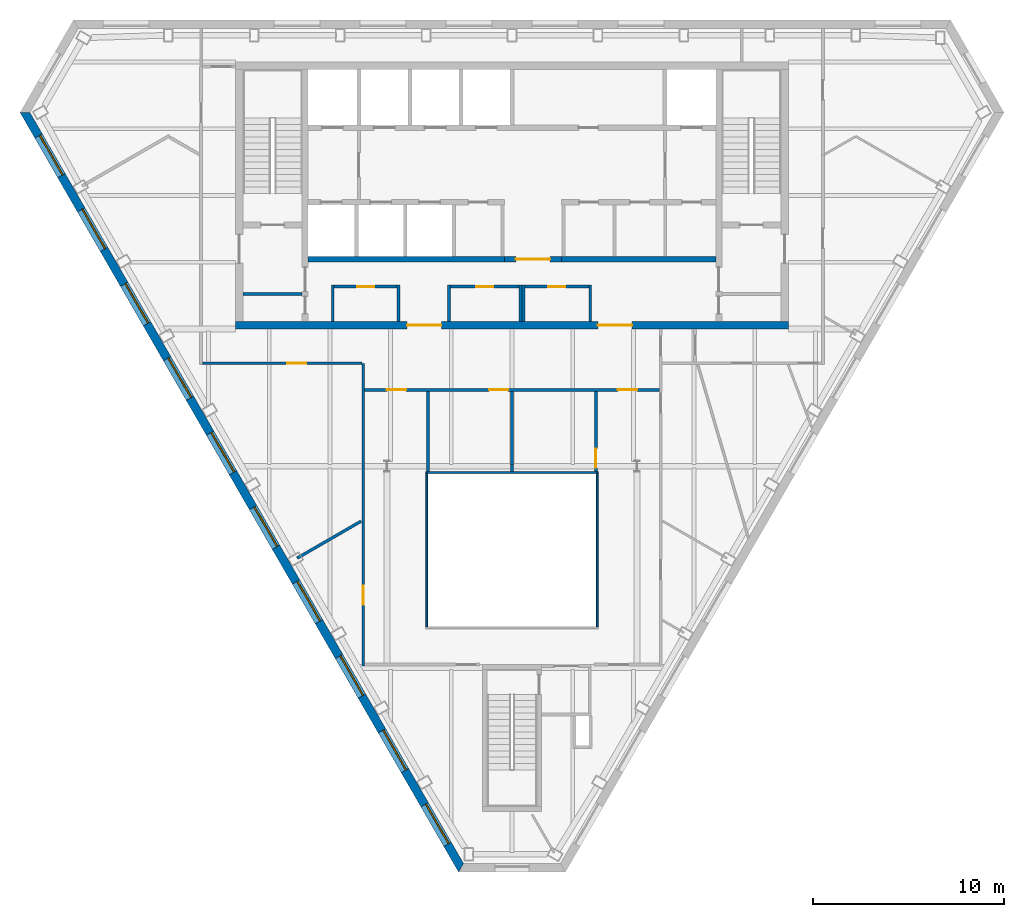
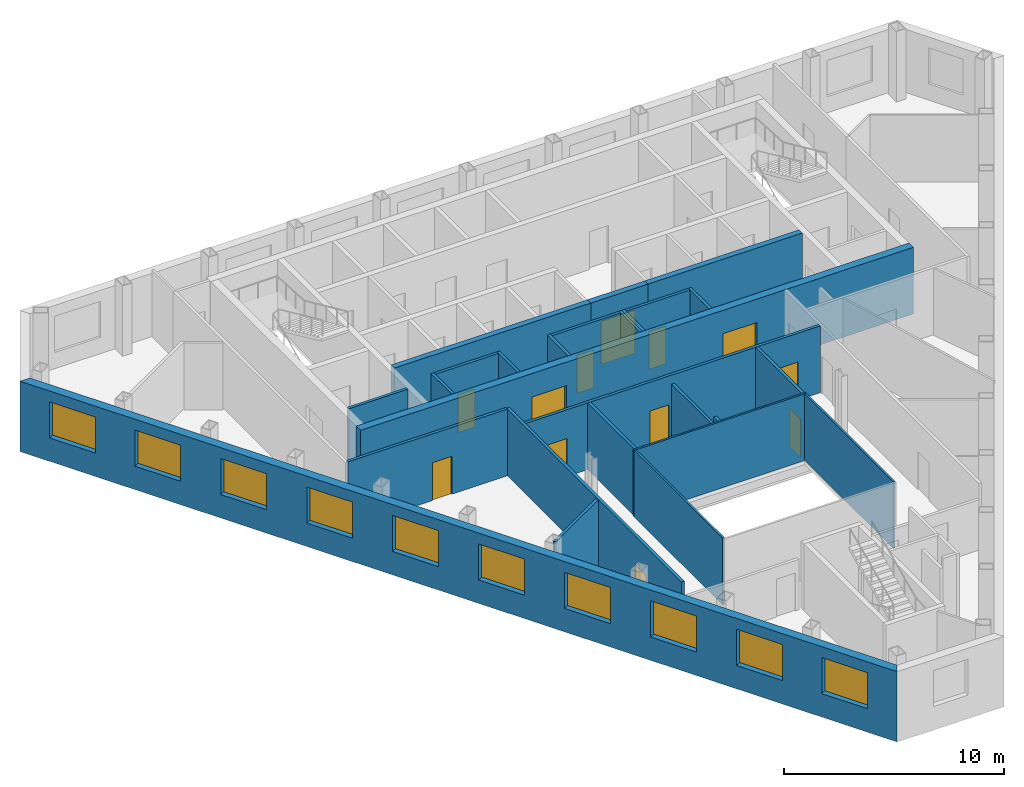
# One storey, part 4 of 10: 26 walls, 12 doors, 10 windows, 22 openings.
"""IFC4 building model written with IfcOpenShell, lengths in metres."""

from ifc_helpers import new_model, si_unit, direction, frame, frame_2d, origin, place, context, subcontext, project, spatial, polyline, rectangle, outline, extrude, material, layer, layer_set, type_object, element, fill, save


model = new_model("IFC4")

# Units and contexts
model_context = context("Model", 3, precision=1e-05, world=origin(), true_north=direction((0.0, 1.0)))
body_context = subcontext(model_context, "Body", "Model", "MODEL_VIEW")
ifc_project = project(units=[si_unit("LENGTHUNIT", "METRE"), si_unit("AREAUNIT", "SQUARE_METRE"), si_unit("VOLUMEUNIT", "CUBIC_METRE"), si_unit("PLANEANGLEUNIT", "RADIAN"), si_unit("MASSUNIT", "GRAM", prefix="KILO")], contexts=[model_context])

# Site, building, storey
site_placement = place(None, origin())
site = spatial("IfcSite", under=ifc_project, at=site_placement, CompositionType="ELEMENT")
building_placement = place(site_placement, origin())
building = spatial("IfcBuilding", under=site, at=building_placement, Name="Njiva Tower", CompositionType="ELEMENT")
storey_placement = place(building_placement, frame((0.0, 0.0, 272.7)))
storey = spatial("IfcBuildingStorey", under=building, at=storey_placement, Name="L62", CompositionType="ELEMENT", Elevation=272.7)

# Walls
ifc_material_1 = material(Name="Blockwork", Category="masonry")
ifc_layer_1 = layer(ifc_material_1, 0.15)
ifc_layer_set_1 = layer_set([ifc_layer_1], Name="Blockwork")
wall_type_1 = type_object("IfcWallType", Name="WT1 Compartment partition 150", PredefinedType="PARTITIONING", material=ifc_layer_set_1)
wall_1_placement = place(storey_placement, frame((-14.1, 5.825, 0.0), z_axis=(0.0, 0.0, 1.0), x_axis=(1.0, 0.0, 0.0)))
element("IfcWall", 1, at=wall_1_placement, inside=storey, type_object=wall_type_1, Name="Room wall A", PredefinedType="PARTITIONING", context=body_context, shape_type="SweptSolid", body=[
    extrude(rectangle(XDim=3.1, YDim=0.15, at=frame_2d((1.55, 0.0))), origin(), (0.0, 0.0, 1.0), 3.7),
])
for number, where, z_axis, x_axis, name in (
    (2, (-9.4, 4.4, 0.0), (0.0, 0.0, 1.0), (0.0, 1.0, 0.0), "Tenant reception wall west"),
    (3, (-5.95, 4.4, 0.0), (0.0, 0.0, 1.0), (0.0, 1.0, 0.0), "Tenant reception wall east"),
):
    element("IfcWall", number, at=place(storey_placement, frame(where, z_axis=z_axis, x_axis=x_axis)), inside=storey, type_object=wall_type_1, Name=name, PredefinedType="PARTITIONING", context=body_context, shape_type="SweptSolid", body=[
        extrude(rectangle(XDim=1.895, YDim=0.15, at=frame_2d((0.9475, 0.0))), origin(), (0.0, 0.0, 1.0), 3.7),
    ])

# Wall, opening, door
wall_2_placement = place(storey_placement, frame((-9.325, 6.22, 0.0), z_axis=(0.0, 0.0, 1.0), x_axis=(1.0, 0.0, 0.0)))
wall_2 = element("IfcWall", 4, at=wall_2_placement, inside=storey, type_object=wall_type_1, Name="Tenant reception wall north", PredefinedType="PARTITIONING", context=body_context, shape_type="SweptSolid", body=[
    extrude(rectangle(XDim=3.3, YDim=0.15, at=frame_2d((1.65, 0.0))), origin(), (0.0, 0.0, 1.0), 3.7),
])
opening_1_placement = place(wall_2_placement, frame((1.2, 0.0, 0.0)))
opening_1 = element("IfcOpeningElement", 5, at=opening_1_placement, cuts=wall_2, Name="Opening S20-D924", PredefinedType="OPENING", context=body_context, shape_type="SweptSolid", body=[
    extrude(rectangle(XDim=0.9, YDim=2.1, at=frame_2d((0.45, 1.05))), frame((0.0, 0.085, 0.0), z_axis=(0.0, -1.0, 0.0), x_axis=(1.0, 0.0, 0.0)), (0.0, 0.0, 1.0), 0.17),
])
ifc_material_2 = material(Name="Steel fire door, painted", Category="steel")
door_type_1 = type_object("IfcDoorType", Name="D6 Fire-rated door 900x2100", OperationType="SINGLE_SWING_LEFT", PredefinedType="DOOR", material=ifc_material_2)
door_1_placement = place(opening_1_placement, origin())
door_1 = element("IfcDoor", 6, at=door_1_placement, inside=storey, type_object=door_type_1, Name="Tenant reception door", OperationType="SINGLE_SWING_RIGHT", OverallHeight=2.1, OverallWidth=0.9, PredefinedType="DOOR", context=body_context, shape_type="SweptSolid", body=[
    extrude(rectangle(XDim=0.9, YDim=2.1, at=frame_2d((0.45, 1.05))), frame((0.0, 0.025, 0.0), z_axis=(0.0, -1.0, 0.0), x_axis=(1.0, 0.0, 0.0)), (0.0, 0.0, 1.0), 0.05),
])
fill(opening_1, door_1)

# Walls
for number, where, z_axis, x_axis, name in (
    (7, (-3.3, 4.4, 0.0), (0.0, 0.0, 1.0), (0.0, 1.0, 0.0), "Waiting room wall west"),
    (8, (0.45, 4.4, 0.0), (0.0, 0.0, 1.0), (0.0, 1.0, 0.0), "Waiting room wall east"),
):
    element("IfcWall", number, at=place(storey_placement, frame(where, z_axis=z_axis, x_axis=x_axis)), inside=storey, type_object=wall_type_1, Name=name, PredefinedType="PARTITIONING", context=body_context, shape_type="SweptSolid", body=[
        extrude(rectangle(XDim=1.895, YDim=0.15, at=frame_2d((0.9475, 0.0))), origin(), (0.0, 0.0, 1.0), 3.7),
    ])

# Wall, opening, door
wall_3_placement = place(storey_placement, frame((-3.225, 6.22, 0.0), z_axis=(0.0, 0.0, 1.0), x_axis=(1.0, 0.0, 0.0)))
wall_3 = element("IfcWall", 9, at=wall_3_placement, inside=storey, type_object=wall_type_1, Name="Waiting room wall north", PredefinedType="PARTITIONING", context=body_context, shape_type="SweptSolid", body=[
    extrude(rectangle(XDim=3.6, YDim=0.15, at=frame_2d((1.8, 0.0))), origin(), (0.0, 0.0, 1.0), 3.7),
])
opening_2_placement = place(wall_3_placement, frame((1.35, 0.0, 0.0)))
opening_2 = element("IfcOpeningElement", 10, at=opening_2_placement, cuts=wall_3, Name="Opening S20-D925", PredefinedType="OPENING", context=body_context, shape_type="SweptSolid", body=[
    extrude(rectangle(XDim=0.9, YDim=2.1, at=frame_2d((0.45, 1.05))), frame((0.0, 0.085, 0.0), z_axis=(0.0, -1.0, 0.0), x_axis=(1.0, 0.0, 0.0)), (0.0, 0.0, 1.0), 0.17),
])
door_2_placement = place(opening_2_placement, origin())
door_2 = element("IfcDoor", 11, at=door_2_placement, inside=storey, type_object=door_type_1, Name="Waiting room door", OperationType="SINGLE_SWING_LEFT", OverallHeight=2.1, OverallWidth=0.9, PredefinedType="DOOR", context=body_context, shape_type="SweptSolid", body=[
    extrude(rectangle(XDim=0.9, YDim=2.1, at=frame_2d((0.45, 1.05))), frame((0.0, 0.025, 0.0), z_axis=(0.0, -1.0, 0.0), x_axis=(1.0, 0.0, 0.0)), (0.0, 0.0, 1.0), 0.05),
])
fill(opening_2, door_2)

# Walls
for number, where, z_axis, x_axis, name in (
    (12, (0.6, 4.4, 0.0), (0.0, 0.0, 1.0), (0.0, 1.0, 0.0), "First aid room wall west"),
    (13, (4.1, 4.4, 0.0), (0.0, 0.0, 1.0), (0.0, 1.0, 0.0), "First aid room wall east"),
):
    element("IfcWall", number, at=place(storey_placement, frame(where, z_axis=z_axis, x_axis=x_axis)), inside=storey, type_object=wall_type_1, Name=name, PredefinedType="PARTITIONING", context=body_context, shape_type="SweptSolid", body=[
        extrude(rectangle(XDim=1.895, YDim=0.15, at=frame_2d((0.9475, 0.0))), origin(), (0.0, 0.0, 1.0), 3.7),
    ])

# Wall, opening, door
wall_4_placement = place(storey_placement, frame((0.675, 6.22, 0.0), z_axis=(0.0, 0.0, 1.0), x_axis=(1.0, 0.0, 0.0)))
wall_4 = element("IfcWall", 14, at=wall_4_placement, inside=storey, type_object=wall_type_1, Name="First aid room wall north", PredefinedType="PARTITIONING", context=body_context, shape_type="SweptSolid", body=[
    extrude(rectangle(XDim=3.35, YDim=0.15, at=frame_2d((1.675, 0.0))), origin(), (0.0, 0.0, 1.0), 3.7),
])
opening_3_placement = place(wall_4_placement, frame((1.225, 0.0, 0.0)))
opening_3 = element("IfcOpeningElement", 15, at=opening_3_placement, cuts=wall_4, Name="Opening S20-D926", PredefinedType="OPENING", context=body_context, shape_type="SweptSolid", body=[
    extrude(rectangle(XDim=0.9, YDim=2.1, at=frame_2d((0.45, 1.05))), frame((0.0, 0.085, 0.0), z_axis=(0.0, -1.0, 0.0), x_axis=(1.0, 0.0, 0.0)), (0.0, 0.0, 1.0), 0.17),
])
door_3_placement = place(opening_3_placement, origin())
door_3 = element("IfcDoor", 16, at=door_3_placement, inside=storey, type_object=door_type_1, Name="First aid room door", OperationType="SINGLE_SWING_LEFT", OverallHeight=2.1, OverallWidth=0.9, PredefinedType="DOOR", context=body_context, shape_type="SweptSolid", body=[
    extrude(rectangle(XDim=0.9, YDim=2.1, at=frame_2d((0.45, 1.05))), frame((0.0, 0.025, 0.0), z_axis=(0.0, -1.0, 0.0), x_axis=(1.0, 0.0, 0.0)), (0.0, 0.0, 1.0), 0.05),
])
fill(opening_3, door_3)

# Wall, openings, doors
ifc_material_3 = material(Name="Concrete C60/75", Category="concrete")
ifc_layer_2 = layer(ifc_material_3, 0.4)
ifc_layer_set_2 = layer_set([ifc_layer_2], Name="Concrete C60/75")
wall_type_2 = type_object("IfcWallType", Name="WT11 Core wall 400", PredefinedType="SHEAR", material=ifc_layer_set_2)
wall_5_placement = place(storey_placement, frame((-14.5, 4.2, 0.0), z_axis=(0.0, 0.0, 1.0), x_axis=(1.0, 0.0, 0.0)))
wall_5 = element("IfcWall", 17, at=wall_5_placement, inside=storey, type_object=wall_type_2, Name="Core wall south", PredefinedType="SHEAR", context=body_context, shape_type="SweptSolid", body=[
    extrude(rectangle(XDim=29.0, YDim=0.4, at=frame_2d((14.5, 0.0))), origin(), (0.0, 0.0, 1.0), 3.7),
])
opening_4_placement = place(wall_5_placement, frame((9.0, 0.0, 0.0)))
opening_4 = element("IfcOpeningElement", 18, at=opening_4_placement, cuts=wall_5, Name="Opening S20-D928", PredefinedType="OPENING", context=body_context, shape_type="SweptSolid", body=[
    extrude(rectangle(XDim=1.8, YDim=2.4, at=frame_2d((0.9, 1.2))), frame((0.0, 0.21, 0.0), z_axis=(0.0, -1.0, 0.0), x_axis=(1.0, 0.0, 0.0)), (0.0, 0.0, 1.0), 0.42),
])
opening_5_placement = place(wall_5_placement, frame((19.0, 0.0, 0.0)))
opening_5 = element("IfcOpeningElement", 19, at=opening_5_placement, cuts=wall_5, Name="Opening S20-D929", PredefinedType="OPENING", context=body_context, shape_type="SweptSolid", body=[
    extrude(rectangle(XDim=1.8, YDim=2.4, at=frame_2d((0.9, 1.2))), frame((0.0, 0.21, 0.0), z_axis=(0.0, -1.0, 0.0), x_axis=(1.0, 0.0, 0.0)), (0.0, 0.0, 1.0), 0.42),
])
ifc_material_4 = material(Name="Steel and glass door", Category="steel")
door_type_2 = type_object("IfcDoorType", Name="D3 Core entrance door 1800x2400", OperationType="DOUBLE_DOOR_SINGLE_SWING", PredefinedType="DOOR", material=ifc_material_4)
door_4_placement = place(opening_4_placement, origin())
door_4 = element("IfcDoor", 20, at=door_4_placement, inside=storey, type_object=door_type_2, Name="Core entrance door", OperationType="DOUBLE_DOOR_SINGLE_SWING", OverallHeight=2.4, OverallWidth=1.8, PredefinedType="DOOR", context=body_context, shape_type="SweptSolid", body=[
    extrude(rectangle(XDim=1.8, YDim=2.4, at=frame_2d((0.9, 1.2))), frame((0.0, 0.025, 0.0), z_axis=(0.0, -1.0, 0.0), x_axis=(1.0, 0.0, 0.0)), (0.0, 0.0, 1.0), 0.05),
])
fill(opening_4, door_4)
door_5_placement = place(opening_5_placement, origin())
door_5 = element("IfcDoor", 21, at=door_5_placement, inside=storey, type_object=door_type_2, Name="Core entrance door", OperationType="DOUBLE_DOOR_SINGLE_SWING", OverallHeight=2.4, OverallWidth=1.8, PredefinedType="DOOR", context=body_context, shape_type="SweptSolid", body=[
    extrude(rectangle(XDim=1.8, YDim=2.4, at=frame_2d((0.9, 1.2))), frame((0.0, 0.025, 0.0), z_axis=(0.0, -1.0, 0.0), x_axis=(1.0, 0.0, 0.0)), (0.0, 0.0, 1.0), 0.05),
])
fill(opening_5, door_5)

# Wall, opening, door
ifc_material_5 = material(Name="Gypsum board on steel studs", Category="gypsum")
ifc_layer_3 = layer(ifc_material_5, 0.15)
ifc_layer_set_3 = layer_set([ifc_layer_3], Name="Gypsum board on steel studs")
wall_type_3 = type_object("IfcWallType", Name="WT21 Compartment wall 150", PredefinedType="PARTITIONING", material=ifc_layer_set_3)
wall_6_placement = place(storey_placement, frame((-16.225, 2.2, 0.0), z_axis=(0.0, 0.0, 1.0), x_axis=(1.0, 0.0, 0.0)))
wall_6 = element("IfcWall", 22, at=wall_6_placement, inside=storey, type_object=wall_type_3, Name="Partition S20-P005", PredefinedType="PARTITIONING", context=body_context, shape_type="SweptSolid", body=[
    extrude(rectangle(XDim=8.35, YDim=0.15, at=frame_2d((4.175, 0.0))), origin(), (0.0, 0.0, 1.0), 3.7),
])
opening_6_placement = place(wall_6_placement, frame((4.431, 0.0, 0.0)))
opening_6 = element("IfcOpeningElement", 23, at=opening_6_placement, cuts=wall_6, Name="Opening S20-D002", PredefinedType="OPENING", context=body_context, shape_type="SweptSolid", body=[
    extrude(rectangle(XDim=1.0, YDim=2.1, at=frame_2d((0.5, 1.05))), frame((0.0, 0.085, 0.0), z_axis=(0.0, -1.0, 0.0), x_axis=(1.0, 0.0, 0.0)), (0.0, 0.0, 1.0), 0.17),
])
ifc_material_6 = material(Name="Steel fire door set", Category="steel")
door_type_3 = type_object("IfcDoorType", Name="D37 Fire door 1000x2100", OperationType="SINGLE_SWING_LEFT", PredefinedType="DOOR", material=ifc_material_6)
door_6_placement = place(opening_6_placement, origin())
door_6 = element("IfcDoor", 24, at=door_6_placement, inside=storey, type_object=door_type_3, Name="Door S20-D002", OperationType="SINGLE_SWING_RIGHT", OverallHeight=2.1, OverallWidth=1.0, PredefinedType="DOOR", context=body_context, shape_type="SweptSolid", body=[
    extrude(rectangle(XDim=1.0, YDim=2.1, at=frame_2d((0.5, 1.05))), frame((0.0, 0.025, 0.0), z_axis=(0.0, -1.0, 0.0), x_axis=(1.0, 0.0, 0.0)), (0.0, 0.0, 1.0), 0.05),
])
fill(opening_6, door_6)

# Wall
wall_7_placement = place(storey_placement, frame((-11.267, -8.021, 0.0), z_axis=(0.0, 0.0, 1.0), x_axis=(0.865850162789, 0.500303403544, 0.0)))
element("IfcWall", 25, at=wall_7_placement, inside=storey, type_object=wall_type_3, Name="Partition S20-P007", PredefinedType="PARTITIONING", context=body_context, shape_type="SweptSolid", body=[
    extrude(rectangle(XDim=3.8736, YDim=0.15, at=frame_2d((1.9368, 0.0))), origin(), (0.0, 0.0, 1.0), 3.7),
])

# Wall, opening, door
wall_8_placement = place(storey_placement, frame((-7.8, -13.675, 0.0), z_axis=(0.0, 0.0, 1.0), x_axis=(0.0, 1.0, 0.0)))
wall_8 = element("IfcWall", 26, at=wall_8_placement, inside=storey, type_object=wall_type_3, Name="Partition S20-P008", PredefinedType="PARTITIONING", context=body_context, shape_type="SweptSolid", body=[
    extrude(rectangle(XDim=15.872, YDim=0.15, at=frame_2d((7.936, 0.0))), origin(), (0.0, 0.0, 1.0), 3.7),
])
opening_7_placement = place(wall_8_placement, frame((3.213, 0.0, 0.0)))
opening_7 = element("IfcOpeningElement", 27, at=opening_7_placement, cuts=wall_8, Name="Opening S20-D004", PredefinedType="OPENING", context=body_context, shape_type="SweptSolid", body=[
    extrude(rectangle(XDim=1.0, YDim=2.1, at=frame_2d((0.5, 1.05))), frame((0.0, 0.085, 0.0), z_axis=(0.0, -1.0, 0.0), x_axis=(1.0, 0.0, 0.0)), (0.0, 0.0, 1.0), 0.17),
])
door_7_placement = place(opening_7_placement, origin())
door_7 = element("IfcDoor", 28, at=door_7_placement, inside=storey, type_object=door_type_3, Name="Door S20-D004", OperationType="SINGLE_SWING_LEFT", OverallHeight=2.1, OverallWidth=1.0, PredefinedType="DOOR", context=body_context, shape_type="SweptSolid", body=[
    extrude(rectangle(XDim=1.0, YDim=2.1, at=frame_2d((0.5, 1.05))), frame((0.0, 0.025, 0.0), z_axis=(0.0, -1.0, 0.0), x_axis=(1.0, 0.0, 0.0)), (0.0, 0.0, 1.0), 0.05),
])
fill(opening_7, door_7)

# Wall, openings, doors
wall_9_placement = place(storey_placement, frame((-7.725, 0.8, 0.0), z_axis=(0.0, 0.0, 1.0), x_axis=(1.0, 0.0, 0.0)))
wall_9 = element("IfcWall", 29, at=wall_9_placement, inside=storey, type_object=wall_type_3, Name="Partition S20-P010", PredefinedType="PARTITIONING", context=body_context, shape_type="SweptSolid", body=[
    extrude(rectangle(XDim=15.45, YDim=0.15, at=frame_2d((7.725, 0.0))), origin(), (0.0, 0.0, 1.0), 3.7),
])
opening_8_placement = place(wall_9_placement, frame((1.168, 0.0, 0.0)))
opening_8 = element("IfcOpeningElement", 30, at=opening_8_placement, cuts=wall_9, Name="Opening S20-D006", PredefinedType="OPENING", context=body_context, shape_type="SweptSolid", body=[
    extrude(rectangle(XDim=1.0, YDim=2.1, at=frame_2d((0.5, 1.05))), frame((0.0, 0.085, 0.0), z_axis=(0.0, -1.0, 0.0), x_axis=(1.0, 0.0, 0.0)), (0.0, 0.0, 1.0), 0.17),
])
opening_9_placement = place(wall_9_placement, frame((6.524, 0.0, 0.0)))
opening_9 = element("IfcOpeningElement", 31, at=opening_9_placement, cuts=wall_9, Name="Opening S20-D007", PredefinedType="OPENING", context=body_context, shape_type="SweptSolid", body=[
    extrude(rectangle(XDim=1.0, YDim=2.1, at=frame_2d((0.5, 1.05))), frame((0.0, 0.085, 0.0), z_axis=(0.0, -1.0, 0.0), x_axis=(1.0, 0.0, 0.0)), (0.0, 0.0, 1.0), 0.17),
])
opening_10_placement = place(wall_9_placement, frame((13.281, 0.0, 0.0)))
opening_10 = element("IfcOpeningElement", 32, at=opening_10_placement, cuts=wall_9, Name="Opening S20-D008", PredefinedType="OPENING", context=body_context, shape_type="SweptSolid", body=[
    extrude(rectangle(XDim=1.0, YDim=2.1, at=frame_2d((0.5, 1.05))), frame((0.0, 0.085, 0.0), z_axis=(0.0, -1.0, 0.0), x_axis=(1.0, 0.0, 0.0)), (0.0, 0.0, 1.0), 0.17),
])
door_8_placement = place(opening_8_placement, origin())
door_8 = element("IfcDoor", 33, at=door_8_placement, inside=storey, type_object=door_type_3, Name="Door S20-D006", OperationType="SINGLE_SWING_RIGHT", OverallHeight=2.1, OverallWidth=1.0, PredefinedType="DOOR", context=body_context, shape_type="SweptSolid", body=[
    extrude(rectangle(XDim=1.0, YDim=2.1, at=frame_2d((0.5, 1.05))), frame((0.0, 0.025, 0.0), z_axis=(0.0, -1.0, 0.0), x_axis=(1.0, 0.0, 0.0)), (0.0, 0.0, 1.0), 0.05),
])
fill(opening_8, door_8)
door_9_placement = place(opening_9_placement, origin())
door_9 = element("IfcDoor", 34, at=door_9_placement, inside=storey, type_object=door_type_3, Name="Door S20-D007", OperationType="SINGLE_SWING_LEFT", OverallHeight=2.1, OverallWidth=1.0, PredefinedType="DOOR", context=body_context, shape_type="SweptSolid", body=[
    extrude(rectangle(XDim=1.0, YDim=2.1, at=frame_2d((0.5, 1.05))), frame((0.0, 0.025, 0.0), z_axis=(0.0, -1.0, 0.0), x_axis=(1.0, 0.0, 0.0)), (0.0, 0.0, 1.0), 0.05),
])
fill(opening_9, door_9)
door_10_placement = place(opening_10_placement, origin())
door_10 = element("IfcDoor", 35, at=door_10_placement, inside=storey, type_object=door_type_3, Name="Door S20-D008", OperationType="SINGLE_SWING_LEFT", OverallHeight=2.1, OverallWidth=1.0, PredefinedType="DOOR", context=body_context, shape_type="SweptSolid", body=[
    extrude(rectangle(XDim=1.0, YDim=2.1, at=frame_2d((0.5, 1.05))), frame((0.0, 0.025, 0.0), z_axis=(0.0, -1.0, 0.0), x_axis=(1.0, 0.0, 0.0)), (0.0, 0.0, 1.0), 0.05),
])
fill(opening_10, door_10)

# Walls
wall_10_placement = place(storey_placement, frame((-4.4, -3.48, 0.0), z_axis=(0.0, 0.0, 1.0), x_axis=(0.0, 1.0, 0.0)))
element("IfcWall", 36, at=wall_10_placement, inside=storey, type_object=wall_type_3, Name="Partition S20-P011", PredefinedType="PARTITIONING", context=body_context, shape_type="SweptSolid", body=[
    extrude(rectangle(XDim=4.205, YDim=0.15, at=frame_2d((2.1025, 0.0))), origin(), (0.0, 0.0, 1.0), 3.7),
])
wall_11_placement = place(storey_placement, frame((-0.001, 0.725, 0.0), z_axis=(0.0, 0.0, 1.0), x_axis=(0.000235294111, -0.999999972318, 0.0)))
element("IfcWall", 37, at=wall_11_placement, inside=storey, type_object=wall_type_3, Name="Partition S20-P012", PredefinedType="PARTITIONING", context=body_context, shape_type="SweptSolid", body=[
    extrude(rectangle(XDim=3.825, YDim=0.15, at=frame_2d((1.9125, 0.0))), origin(), (0.0, 0.0, 1.0), 3.2),
])
wall_12_placement = place(storey_placement, frame((-0.0001, -3.1, 0.0), z_axis=(0.0, 0.0, 1.0), x_axis=(0.000263157886, -0.999999965374, 0.0)))
element("IfcWall", 38, at=wall_12_placement, inside=storey, type_object=wall_type_3, Name="Partition S20-P012A", PredefinedType="PARTITIONING", context=body_context, shape_type="SweptSolid", body=[
    extrude(rectangle(XDim=0.38, YDim=0.15, at=frame_2d((0.19, 0.0))), origin(), (0.0, 0.0, 1.0), 3.7),
])

# Wall, opening, door
wall_13_placement = place(storey_placement, frame((4.399, 0.725, 0.0), z_axis=(0.0, 0.0, 1.0), x_axis=(0.000237812122, -0.999999971723, 0.0)))
wall_13 = element("IfcWall", 39, at=wall_13_placement, inside=storey, type_object=wall_type_3, Name="Partition S20-P015", PredefinedType="PARTITIONING", context=body_context, shape_type="SweptSolid", body=[
    extrude(rectangle(XDim=4.205, YDim=0.15, at=frame_2d((2.1025, 0.0))), origin(), (0.0, 0.0, 1.0), 3.7),
])
opening_11_placement = place(wall_13_placement, frame((3.005, 0.0, 0.0)))
opening_11 = element("IfcOpeningElement", 40, at=opening_11_placement, cuts=wall_13, Name="Opening S20-D010", PredefinedType="OPENING", context=body_context, shape_type="SweptSolid", body=[
    extrude(rectangle(XDim=1.0, YDim=2.1, at=frame_2d((0.5, 1.05))), frame((0.0, 0.085, 0.0), z_axis=(0.0, -1.0, 0.0), x_axis=(1.0, 0.0, 0.0)), (0.0, 0.0, 1.0), 0.17),
])
door_11_placement = place(opening_11_placement, origin())
door_11 = element("IfcDoor", 41, at=door_11_placement, inside=storey, type_object=door_type_3, Name="Door S20-D010", OperationType="SINGLE_SWING_RIGHT", OverallHeight=2.1, OverallWidth=1.0, PredefinedType="DOOR", context=body_context, shape_type="SweptSolid", body=[
    extrude(rectangle(XDim=1.0, YDim=2.1, at=frame_2d((0.5, 1.05))), frame((0.0, 0.025, 0.0), z_axis=(0.0, -1.0, 0.0), x_axis=(1.0, 0.0, 0.0)), (0.0, 0.0, 1.0), 0.05),
])
fill(opening_11, door_11)

ifc_layer_4 = layer(ifc_material_1, 0.3)
ifc_layer_set_4 = layer_set([ifc_layer_4], Name="Blockwork")
wall_type_4 = type_object("IfcWallType", Name="WT5 Lobby partition 300", PredefinedType="PARTITIONING", material=ifc_layer_set_4)
wall_14_placement = place(storey_placement, frame((-0.4, 7.65, 0.0), z_axis=(0.0, 0.0, 1.0), x_axis=(1.0, 0.0, 0.0)))
wall_14 = element("IfcWall", 42, at=wall_14_placement, inside=storey, type_object=wall_type_4, Name="Lift lobby screen wall", PredefinedType="PARTITIONING", context=body_context, shape_type="SweptSolid", body=[
    extrude(rectangle(XDim=3.0, YDim=0.3, at=frame_2d((1.5, 0.0))), origin(), (0.0, 0.0, 1.0), 3.7),
])
opening_12_placement = place(wall_14_placement, frame((0.6, 0.0, 0.0)))
opening_12 = element("IfcOpeningElement", 43, at=opening_12_placement, cuts=wall_14, Name="Opening S20-D927", PredefinedType="OPENING", context=body_context, shape_type="SweptSolid", body=[
    extrude(rectangle(XDim=1.8, YDim=2.4, at=frame_2d((0.9, 1.2))), frame((0.0, 0.16, 0.0), z_axis=(0.0, -1.0, 0.0), x_axis=(1.0, 0.0, 0.0)), (0.0, 0.0, 1.0), 0.32),
])
door_12_placement = place(opening_12_placement, origin())
door_12 = element("IfcDoor", 44, at=door_12_placement, inside=storey, type_object=door_type_2, Name="Core entrance door", OperationType="DOUBLE_DOOR_SINGLE_SWING", OverallHeight=2.4, OverallWidth=1.8, PredefinedType="DOOR", context=body_context, shape_type="SweptSolid", body=[
    extrude(rectangle(XDim=1.8, YDim=2.4, at=frame_2d((0.9, 1.2))), frame((0.0, 0.025, 0.0), z_axis=(0.0, -1.0, 0.0), x_axis=(1.0, 0.0, 0.0)), (0.0, 0.0, 1.0), 0.05),
])
fill(opening_12, door_12)

# Walls
ifc_material_7 = material(Name="Concrete C40/50", Category="concrete")
ifc_layer_5 = layer(ifc_material_7, 0.3)
ifc_layer_set_5 = layer_set([ifc_layer_5], Name="Concrete C40/50")
wall_type_5 = type_object("IfcWallType", Name="WT7 Lift shaft wall 300", PredefinedType="SHEAR", material=ifc_layer_set_5)
wall_15_placement = place(storey_placement, frame((-10.7, 7.65, 0.0), z_axis=(0.0, 0.0, 1.0), x_axis=(1.0, 0.0, 0.0)))
element("IfcWall", 45, at=wall_15_placement, inside=storey, type_object=wall_type_5, Name="Shaft wall south row back W", PredefinedType="SHEAR", context=body_context, shape_type="SweptSolid", body=[
    extrude(rectangle(XDim=10.3, YDim=0.3, at=frame_2d((5.15, 0.0))), origin(), (0.0, 0.0, 1.0), 3.7),
])
wall_16_placement = place(storey_placement, frame((2.6, 7.65, 0.0), z_axis=(0.0, 0.0, 1.0), x_axis=(1.0, 0.0, 0.0)))
element("IfcWall", 46, at=wall_16_placement, inside=storey, type_object=wall_type_5, Name="Shaft wall south row back E", PredefinedType="SHEAR", context=body_context, shape_type="SweptSolid", body=[
    extrude(rectangle(XDim=8.1, YDim=0.3, at=frame_2d((4.05, 0.0))), origin(), (0.0, 0.0, 1.0), 3.7),
])

# Wall, openings, windows
ifc_material_8 = material(Name="Brick masonry", Category="masonry")
ifc_layer_6 = layer(ifc_material_8, 0.45)
ifc_layer_set_6 = layer_set([ifc_layer_6], Name="Brick masonry")
wall_type_6 = type_object("IfcWallType", Name="WT90 Brick pier and spandrel wall 450", PredefinedType="SOLIDWALL", material=ifc_layer_set_6)
wall_17_placement = place(storey_placement, frame((-25.5402, 15.3503, -0.4), z_axis=(0.0, 0.0, 1.0), x_axis=(0.499999764979, -0.866025539474, 0.0)))
wall_17 = element("IfcWall", 47, at=wall_17_placement, inside=storey, type_object=wall_type_6, Name="Facade wall SW", PredefinedType="SOLIDWALL", context=body_context, shape_type="SweptSolid", body=[
    extrude(outline(polyline([(-0.1299, -0.225), (45.8701, -0.225), (45.6103, 0.225), (0.1299, 0.225), (-0.1299, -0.225)])), origin(), (0.0, 0.0, 1.0), 3.9),
])
opening_13_placement = place(wall_17_placement, frame((1.4242, 0.0, 1.3)))
opening_13 = element("IfcOpeningElement", 48, at=opening_13_placement, cuts=wall_17, Name="Opening S20-W09", PredefinedType="OPENING", context=body_context, shape_type="SweptSolid", body=[
    extrude(rectangle(XDim=2.4, YDim=2.0, at=frame_2d((1.2, 1.0))), frame((0.0, 0.235, 0.0), z_axis=(0.0, -1.0, 0.0), x_axis=(1.0, 0.0, 0.0)), (0.0, 0.0, 1.0), 0.47),
])
opening_14_placement = place(wall_17_placement, frame((5.8934, 0.0, 1.3)))
opening_14 = element("IfcOpeningElement", 49, at=opening_14_placement, cuts=wall_17, Name="Opening S20-W10", PredefinedType="OPENING", context=body_context, shape_type="SweptSolid", body=[
    extrude(rectangle(XDim=2.4, YDim=2.0, at=frame_2d((1.2, 1.0))), frame((0.0, 0.235, 0.0), z_axis=(0.0, -1.0, 0.0), x_axis=(1.0, 0.0, 0.0)), (0.0, 0.0, 1.0), 0.47),
])
opening_15_placement = place(wall_17_placement, frame((10.401, 0.0, 1.3)))
opening_15 = element("IfcOpeningElement", 50, at=opening_15_placement, cuts=wall_17, Name="Opening S20-W11", PredefinedType="OPENING", context=body_context, shape_type="SweptSolid", body=[
    extrude(rectangle(XDim=2.4, YDim=2.0, at=frame_2d((1.2, 1.0))), frame((0.0, 0.235, 0.0), z_axis=(0.0, -1.0, 0.0), x_axis=(1.0, 0.0, 0.0)), (0.0, 0.0, 1.0), 0.47),
])
opening_16_placement = place(wall_17_placement, frame((14.9087, 0.0, 1.3)))
opening_16 = element("IfcOpeningElement", 51, at=opening_16_placement, cuts=wall_17, Name="Opening S20-W12", PredefinedType="OPENING", context=body_context, shape_type="SweptSolid", body=[
    extrude(rectangle(XDim=2.4, YDim=2.0, at=frame_2d((1.2, 1.0))), frame((0.0, 0.235, 0.0), z_axis=(0.0, -1.0, 0.0), x_axis=(1.0, 0.0, 0.0)), (0.0, 0.0, 1.0), 0.47),
])
opening_17_placement = place(wall_17_placement, frame((19.4163, 0.0, 1.3)))
opening_17 = element("IfcOpeningElement", 52, at=opening_17_placement, cuts=wall_17, Name="Opening S20-W13", PredefinedType="OPENING", context=body_context, shape_type="SweptSolid", body=[
    extrude(rectangle(XDim=2.4, YDim=2.0, at=frame_2d((1.2, 1.0))), frame((0.0, 0.235, 0.0), z_axis=(0.0, -1.0, 0.0), x_axis=(1.0, 0.0, 0.0)), (0.0, 0.0, 1.0), 0.47),
])
opening_18_placement = place(wall_17_placement, frame((23.9239, 0.0, 1.3)))
opening_18 = element("IfcOpeningElement", 53, at=opening_18_placement, cuts=wall_17, Name="Opening S20-W14", PredefinedType="OPENING", context=body_context, shape_type="SweptSolid", body=[
    extrude(rectangle(XDim=2.4, YDim=2.0, at=frame_2d((1.2, 1.0))), frame((0.0, 0.235, 0.0), z_axis=(0.0, -1.0, 0.0), x_axis=(1.0, 0.0, 0.0)), (0.0, 0.0, 1.0), 0.47),
])
opening_19_placement = place(wall_17_placement, frame((28.4315, 0.0, 1.3)))
opening_19 = element("IfcOpeningElement", 54, at=opening_19_placement, cuts=wall_17, Name="Opening S20-W15", PredefinedType="OPENING", context=body_context, shape_type="SweptSolid", body=[
    extrude(rectangle(XDim=2.4, YDim=2.0, at=frame_2d((1.2, 1.0))), frame((0.0, 0.235, 0.0), z_axis=(0.0, -1.0, 0.0), x_axis=(1.0, 0.0, 0.0)), (0.0, 0.0, 1.0), 0.47),
])
opening_20_placement = place(wall_17_placement, frame((32.9391, 0.0, 1.3)))
opening_20 = element("IfcOpeningElement", 55, at=opening_20_placement, cuts=wall_17, Name="Opening S20-W16", PredefinedType="OPENING", context=body_context, shape_type="SweptSolid", body=[
    extrude(rectangle(XDim=2.4, YDim=2.0, at=frame_2d((1.2, 1.0))), frame((0.0, 0.235, 0.0), z_axis=(0.0, -1.0, 0.0), x_axis=(1.0, 0.0, 0.0)), (0.0, 0.0, 1.0), 0.47),
])
opening_21_placement = place(wall_17_placement, frame((37.4468, 0.0, 1.3)))
opening_21 = element("IfcOpeningElement", 56, at=opening_21_placement, cuts=wall_17, Name="Opening S20-W17", PredefinedType="OPENING", context=body_context, shape_type="SweptSolid", body=[
    extrude(rectangle(XDim=2.4, YDim=2.0, at=frame_2d((1.2, 1.0))), frame((0.0, 0.235, 0.0), z_axis=(0.0, -1.0, 0.0), x_axis=(1.0, 0.0, 0.0)), (0.0, 0.0, 1.0), 0.47),
])
opening_22_placement = place(wall_17_placement, frame((41.916, 0.0, 1.3)))
opening_22 = element("IfcOpeningElement", 57, at=opening_22_placement, cuts=wall_17, Name="Opening S20-W18", PredefinedType="OPENING", context=body_context, shape_type="SweptSolid", body=[
    extrude(rectangle(XDim=2.4, YDim=2.0, at=frame_2d((1.2, 1.0))), frame((0.0, 0.235, 0.0), z_axis=(0.0, -1.0, 0.0), x_axis=(1.0, 0.0, 0.0)), (0.0, 0.0, 1.0), 0.47),
])
ifc_material_9 = material(Name="Clear glazing in aluminium frame", Category="aluminium")
window_type = type_object("IfcWindowType", Name="W90 Deep-set window 2400x2000", PartitioningType="SINGLE_PANEL", PredefinedType="WINDOW", material=ifc_material_9)
window_1_placement = place(opening_13_placement, origin())
window_1 = element("IfcWindow", 58, at=window_1_placement, inside=storey, type_object=window_type, Name="Window", OverallHeight=2.0, OverallWidth=2.4, PartitioningType="SINGLE_PANEL", PredefinedType="WINDOW", context=body_context, shape_type="SweptSolid", body=[
    extrude(rectangle(XDim=2.4, YDim=2.0, at=frame_2d((1.2, 1.0))), frame((0.0, 0.105, 0.0), z_axis=(0.0, -1.0, 0.0), x_axis=(1.0, 0.0, 0.0)), (0.0, 0.0, 1.0), 0.06),
])
fill(opening_13, window_1)
window_2_placement = place(opening_14_placement, origin())
window_2 = element("IfcWindow", 59, at=window_2_placement, inside=storey, type_object=window_type, Name="Window", OverallHeight=2.0, OverallWidth=2.4, PartitioningType="SINGLE_PANEL", PredefinedType="WINDOW", context=body_context, shape_type="SweptSolid", body=[
    extrude(rectangle(XDim=2.4, YDim=2.0, at=frame_2d((1.2, 1.0))), frame((0.0, 0.105, 0.0), z_axis=(0.0, -1.0, 0.0), x_axis=(1.0, 0.0, 0.0)), (0.0, 0.0, 1.0), 0.06),
])
fill(opening_14, window_2)
window_3_placement = place(opening_15_placement, origin())
window_3 = element("IfcWindow", 60, at=window_3_placement, inside=storey, type_object=window_type, Name="Window", OverallHeight=2.0, OverallWidth=2.4, PartitioningType="SINGLE_PANEL", PredefinedType="WINDOW", context=body_context, shape_type="SweptSolid", body=[
    extrude(rectangle(XDim=2.4, YDim=2.0, at=frame_2d((1.2, 1.0))), frame((0.0, 0.105, 0.0), z_axis=(0.0, -1.0, 0.0), x_axis=(1.0, 0.0, 0.0)), (0.0, 0.0, 1.0), 0.06),
])
fill(opening_15, window_3)
window_4_placement = place(opening_16_placement, origin())
window_4 = element("IfcWindow", 61, at=window_4_placement, inside=storey, type_object=window_type, Name="Window", OverallHeight=2.0, OverallWidth=2.4, PartitioningType="SINGLE_PANEL", PredefinedType="WINDOW", context=body_context, shape_type="SweptSolid", body=[
    extrude(rectangle(XDim=2.4, YDim=2.0, at=frame_2d((1.2, 1.0))), frame((0.0, 0.105, 0.0), z_axis=(0.0, -1.0, 0.0), x_axis=(1.0, 0.0, 0.0)), (0.0, 0.0, 1.0), 0.06),
])
fill(opening_16, window_4)
window_5_placement = place(opening_17_placement, origin())
window_5 = element("IfcWindow", 62, at=window_5_placement, inside=storey, type_object=window_type, Name="Window", OverallHeight=2.0, OverallWidth=2.4, PartitioningType="SINGLE_PANEL", PredefinedType="WINDOW", context=body_context, shape_type="SweptSolid", body=[
    extrude(rectangle(XDim=2.4, YDim=2.0, at=frame_2d((1.2, 1.0))), frame((0.0, 0.105, 0.0), z_axis=(0.0, -1.0, 0.0), x_axis=(1.0, 0.0, 0.0)), (0.0, 0.0, 1.0), 0.06),
])
fill(opening_17, window_5)
window_6_placement = place(opening_18_placement, origin())
window_6 = element("IfcWindow", 63, at=window_6_placement, inside=storey, type_object=window_type, Name="Window", OverallHeight=2.0, OverallWidth=2.4, PartitioningType="SINGLE_PANEL", PredefinedType="WINDOW", context=body_context, shape_type="SweptSolid", body=[
    extrude(rectangle(XDim=2.4, YDim=2.0, at=frame_2d((1.2, 1.0))), frame((0.0, 0.105, 0.0), z_axis=(0.0, -1.0, 0.0), x_axis=(1.0, 0.0, 0.0)), (0.0, 0.0, 1.0), 0.06),
])
fill(opening_18, window_6)
window_7_placement = place(opening_19_placement, origin())
window_7 = element("IfcWindow", 64, at=window_7_placement, inside=storey, type_object=window_type, Name="Window", OverallHeight=2.0, OverallWidth=2.4, PartitioningType="SINGLE_PANEL", PredefinedType="WINDOW", context=body_context, shape_type="SweptSolid", body=[
    extrude(rectangle(XDim=2.4, YDim=2.0, at=frame_2d((1.2, 1.0))), frame((0.0, 0.105, 0.0), z_axis=(0.0, -1.0, 0.0), x_axis=(1.0, 0.0, 0.0)), (0.0, 0.0, 1.0), 0.06),
])
fill(opening_19, window_7)
window_8_placement = place(opening_20_placement, origin())
window_8 = element("IfcWindow", 65, at=window_8_placement, inside=storey, type_object=window_type, Name="Window", OverallHeight=2.0, OverallWidth=2.4, PartitioningType="SINGLE_PANEL", PredefinedType="WINDOW", context=body_context, shape_type="SweptSolid", body=[
    extrude(rectangle(XDim=2.4, YDim=2.0, at=frame_2d((1.2, 1.0))), frame((0.0, 0.105, 0.0), z_axis=(0.0, -1.0, 0.0), x_axis=(1.0, 0.0, 0.0)), (0.0, 0.0, 1.0), 0.06),
])
fill(opening_20, window_8)
window_9_placement = place(opening_21_placement, origin())
window_9 = element("IfcWindow", 66, at=window_9_placement, inside=storey, type_object=window_type, Name="Window", OverallHeight=2.0, OverallWidth=2.4, PartitioningType="SINGLE_PANEL", PredefinedType="WINDOW", context=body_context, shape_type="SweptSolid", body=[
    extrude(rectangle(XDim=2.4, YDim=2.0, at=frame_2d((1.2, 1.0))), frame((0.0, 0.105, 0.0), z_axis=(0.0, -1.0, 0.0), x_axis=(1.0, 0.0, 0.0)), (0.0, 0.0, 1.0), 0.06),
])
fill(opening_21, window_9)
window_10_placement = place(opening_22_placement, origin())
window_10 = element("IfcWindow", 67, at=window_10_placement, inside=storey, type_object=window_type, Name="Window", OverallHeight=2.0, OverallWidth=2.4, PartitioningType="SINGLE_PANEL", PredefinedType="WINDOW", context=body_context, shape_type="SweptSolid", body=[
    extrude(rectangle(XDim=2.4, YDim=2.0, at=frame_2d((1.2, 1.0))), frame((0.0, 0.105, 0.0), z_axis=(0.0, -1.0, 0.0), x_axis=(1.0, 0.0, 0.0)), (0.0, 0.0, 1.0), 0.06),
])
fill(opening_22, window_10)

# Walls
ifc_material_10 = material(Name="Fire-resisting glazing EI 90", Category="glass")
ifc_layer_7 = layer(ifc_material_10, 0.1)
ifc_layer_set_7 = layer_set([ifc_layer_7], Name="Fire-resisting glazing EI 90")
wall_type_7 = type_object("IfcWallType", Name="WT95 Fire-resisting glazed screen EI 90", PredefinedType="PARTITIONING", material=ifc_layer_set_7)
wall_18_placement = place(storey_placement, frame((4.47, -11.62, 0.0), z_axis=(0.0, 0.0, 1.0), x_axis=(0.0, 1.0, 0.0)))
element("IfcWall", 68, at=wall_18_placement, inside=storey, type_object=wall_type_7, Name="Atrium fire screen east", PredefinedType="PARTITIONING", context=body_context, shape_type="SweptSolid", body=[
    extrude(rectangle(XDim=8.04, YDim=0.1, at=frame_2d((4.02, 0.0))), origin(), (0.0, 0.0, 1.0), 3.7),
])
wall_19_placement = place(storey_placement, frame((4.52, -3.53, 0.0), z_axis=(0.0, 0.0, 1.0), x_axis=(-1.0, 0.0, 0.0)))
element("IfcWall", 69, at=wall_19_placement, inside=storey, type_object=wall_type_7, Name="Atrium fire screen north", PredefinedType="PARTITIONING", context=body_context, shape_type="SweptSolid", body=[
    extrude(rectangle(XDim=9.04, YDim=0.1, at=frame_2d((4.52, 0.0))), origin(), (0.0, 0.0, 1.0), 3.7),
])
wall_20_placement = place(storey_placement, frame((-4.47, -3.58, 0.0), z_axis=(0.0, 0.0, 1.0), x_axis=(0.0, -1.0, 0.0)))
element("IfcWall", 70, at=wall_20_placement, inside=storey, type_object=wall_type_7, Name="Atrium fire screen west", PredefinedType="PARTITIONING", context=body_context, shape_type="SweptSolid", body=[
    extrude(rectangle(XDim=8.04, YDim=0.1, at=frame_2d((4.02, 0.0))), origin(), (0.0, 0.0, 1.0), 3.7),
])

save(model, "model.ifc")
